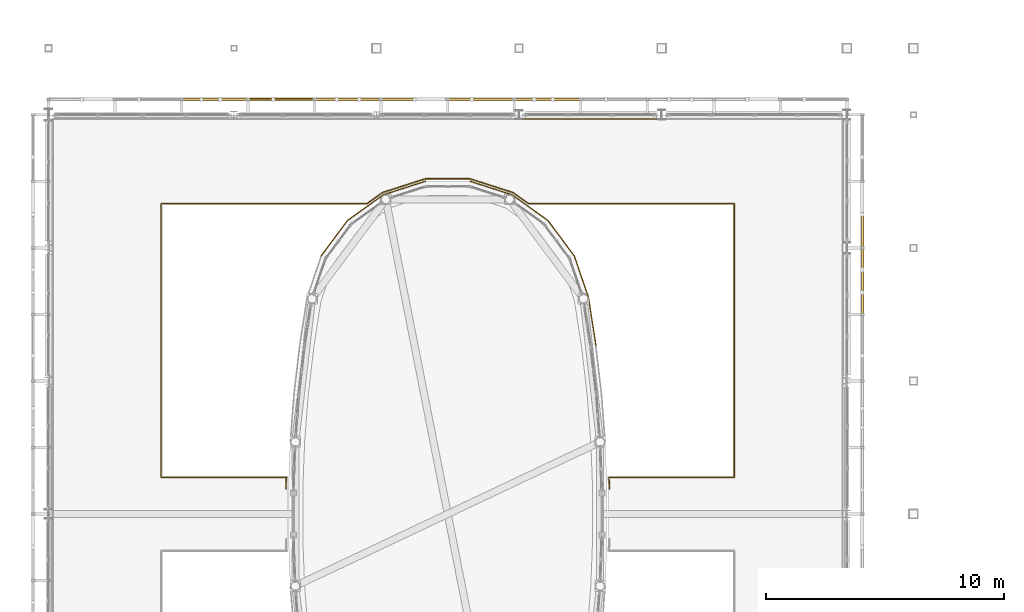
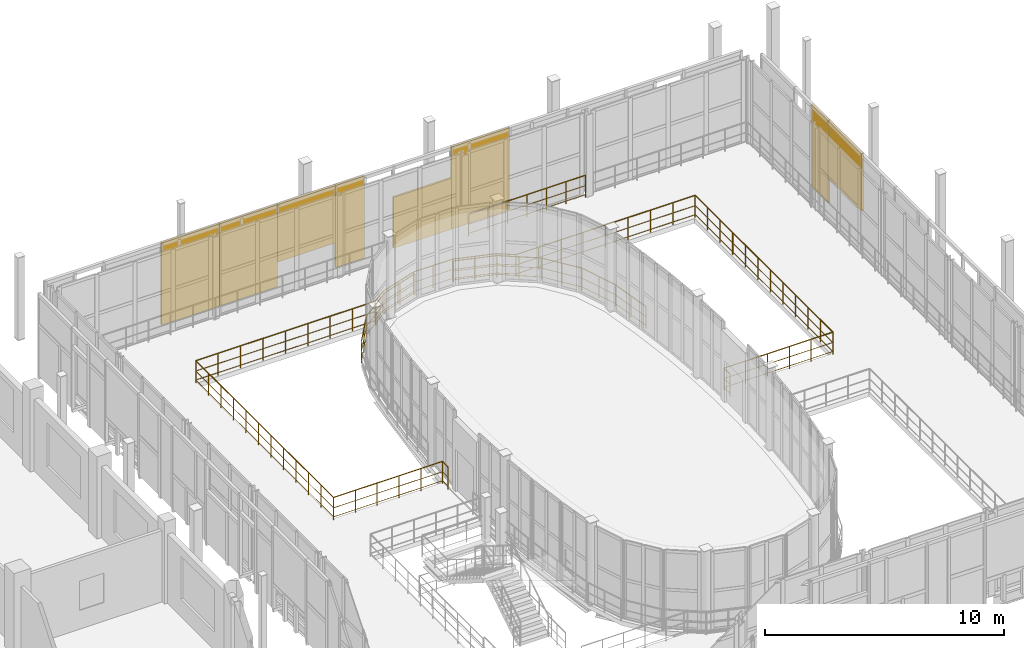
# One storey, part 114 of 121: 10 railings, 8 shading devices.
"""IFC4 building model written with IfcOpenShell, lengths in metres."""

import ifcopenshell
import ifcopenshell.guid

model = None  # the IFC model being written
_history = None  # IfcOwnerHistory: only IFC2X3 demands one
_inside = {}  # id of a spatial element -> (the spatial element, [elements in it])
_under = {}  # id of a project, library or spatial element -> (it, [spatial elements below it])
_declared = {}  # id of a project -> (the project, [libraries it declares])
_typed = {}  # id of a type object -> (the type object, [elements of that type])
_made_of = {}  # id of a material, layer set ... -> (it, [elements and type objects made of it])


def new_model(schema):
    """Start an empty IFC model of exactly this schema.

    Asked for "IFC4X3", IfcOpenShell would pick the latest addendum, in which some entities
    have other attributes; the version numbers below select the first issue.
    IFC2X3 requires an IfcOwnerHistory on every rooted entity: one is made here for all.
    """
    global model, _history
    if schema == "IFC4X3":
        model = ifcopenshell.file(schema_version=(4, 3, 0, 0))
    else:
        model = ifcopenshell.file(schema=schema)
    _inside.clear()
    _under.clear()
    _declared.clear()
    _typed.clear()
    _made_of.clear()
    _history = None
    if model.schema == "IFC2X3":
        org = make("IfcOrganization", Name="unknown")
        user = make(
            "IfcPersonAndOrganization",
            ThePerson=make("IfcPerson", FamilyName="unknown"),
            TheOrganization=org,
        )
        app = make(
            "IfcApplication",
            ApplicationDeveloper=org,
            Version="unknown",
            ApplicationFullName="unknown",
            ApplicationIdentifier="unknown",
        )
        _history = make(
            "IfcOwnerHistory",
            OwningUser=user,
            OwningApplication=app,
            ChangeAction="ADDED",
            CreationDate=0,
        )
    return model


def make(cls, **values):
    """One entity of the class cls with the attributes given. An attribute that is None is left unset."""
    return model.create_entity(
        cls, **{name: value for name, value in values.items() if value is not None}
    )


def rooted(cls, **values):
    """An entity with a GlobalId (a new one), such as an element, a storey or a relation."""
    return make(cls, GlobalId=ifcopenshell.guid.new(), OwnerHistory=_history, **values)


def si_unit(unit_type, name, prefix=None):
    """IfcSIUnit, for example si_unit("LENGTHUNIT", "METRE", prefix="MILLI")."""
    return make("IfcSIUnit", UnitType=unit_type, Prefix=prefix, Name=name)


def assignment(units):
    """IfcUnitAssignment: the units of a project."""
    return None if units is None else make("IfcUnitAssignment", Units=units)


def point(xyz):
    """IfcCartesianPoint."""
    return None if xyz is None else make("IfcCartesianPoint", Coordinates=xyz)


def direction(xyz):
    """IfcDirection."""
    return None if xyz is None else make("IfcDirection", DirectionRatios=xyz)


def frame(location, z_axis=None, x_axis=None):
    """IfcAxis2Placement3D, a coordinate frame: its origin and axes. An axis left out is left unset."""
    return make(
        "IfcAxis2Placement3D",
        Location=point(location),
        Axis=direction(z_axis),
        RefDirection=direction(x_axis),
    )


def frame_2d(location, x_axis=None):
    """IfcAxis2Placement2D, a coordinate frame in the plane: its origin and x axis."""
    return make(
        "IfcAxis2Placement2D", Location=point(location), RefDirection=direction(x_axis)
    )


def origin():
    """The frame at (0, 0, 0) with its axes left unset."""
    return frame((0.0, 0.0, 0.0))


def origin_2d():
    """The frame at (0, 0) in the plane with its x axis left unset."""
    return frame_2d((0.0, 0.0))


def place(relative_to, where):
    """IfcLocalPlacement: puts the frame where relative to a parent placement (None: the world)."""
    return make(
        "IfcLocalPlacement", PlacementRelTo=relative_to, RelativePlacement=where
    )


def context(
    kind, dimensions, precision=None, world=None, true_north=None, identifier=None
):
    """IfcGeometricRepresentationContext, for example the 3D "Model" context."""
    return make(
        "IfcGeometricRepresentationContext",
        ContextIdentifier=identifier,
        ContextType=kind,
        CoordinateSpaceDimension=dimensions,
        Precision=precision,
        WorldCoordinateSystem=world,
        TrueNorth=true_north,
    )


def subcontext(parent, identifier, kind, view, scale=None):
    """IfcGeometricRepresentationSubContext, for example "Body" below "Model"."""
    return make(
        "IfcGeometricRepresentationSubContext",
        ContextIdentifier=identifier,
        ContextType=kind,
        ParentContext=parent,
        TargetScale=scale,
        TargetView=view,
    )


def project(units=None, contexts=None):
    """IfcProject with its units and contexts."""
    return rooted(
        "IfcProject",
        Name="project",
        RepresentationContexts=contexts,
        UnitsInContext=assignment(units),
    )


def spatial(cls, under=None, at=None, **own):
    """A site, building, storey or space (cls), placed at a placement, below another one or the project."""
    s = rooted(cls, ObjectPlacement=at, **own)
    if under is not None:
        _under.setdefault(under.id(), (under, []))[1].append(s)
    return s


def profile(cls, at=None, kind="AREA", **sizes):
    """A parametric profile (cls). Its sizes go by their IFC names, for example OverallWidth=200.0."""
    return make(cls, ProfileType=kind, Position=at, **sizes)


def rectangle(**sizes):
    """IfcRectangleProfileDef."""
    return profile("IfcRectangleProfileDef", **sizes)


def circle(**sizes):
    """IfcCircleProfileDef."""
    return profile("IfcCircleProfileDef", **sizes)


def extrude(swept, where, along, depth):
    """IfcExtrudedAreaSolid: the profile swept, set in the frame where, extruded along a direction by depth."""
    return make(
        "IfcExtrudedAreaSolid",
        SweptArea=swept,
        Position=where,
        ExtrudedDirection=direction(along),
        Depth=depth,
    )


def shape(context_of_items, identifier, shape_type, items):
    """IfcShapeRepresentation: the items that make up one representation, for example the "Body"."""
    return make(
        "IfcShapeRepresentation",
        ContextOfItems=context_of_items,
        RepresentationIdentifier=identifier,
        RepresentationType=shape_type,
        Items=items,
    )


def material(Name=None, Category=None):
    """IfcMaterial."""
    return make("IfcMaterial", Name=Name, Category=Category)


def made_of(thing, what):
    """Note that an element or type object is made of a material, layer set ...; save() writes the relation."""
    if what is not None:
        _made_of.setdefault(what.id(), (what, []))[1].append(thing)
    return thing


def type_object(cls, material=None, **own):
    """A type object (cls), such as IfcWallType, which elements share."""
    return made_of(rooted(cls, **own), material)


def element(
    cls,
    number,
    at=None,
    inside=None,
    cuts=None,
    type_object=None,
    material=None,
    context=None,
    identifier="Body",
    shape_type=None,
    held_by="IfcProductDefinitionShape",
    body=None,
    shapes=None,
    **own,
):
    """One element of the class cls, such as IfcWall. Its Tag is "e" and its number.

    at: its placement. inside: the storey or other place that contains it. cuts: it is an
    opening in that element (IfcRelVoidsElement). A single representation is given by context,
    identifier, shape_type and body (its items); several are given by shapes. held_by: the class
    of the entity that holds the representations. save() writes the other relations.
    """
    e = rooted(cls, Tag="e%d" % number, ObjectPlacement=at, **own)
    if body is not None:
        shapes = [shape(context, identifier, shape_type, body)]
    if shapes is not None:
        e.Representation = make(held_by, Representations=shapes)
    if inside is not None:
        _inside.setdefault(inside.id(), (inside, []))[1].append(e)
    if cuts is not None:
        rooted(
            "IfcRelVoidsElement", RelatingBuildingElement=cuts, RelatedOpeningElement=e
        )
    if type_object is not None:
        _typed.setdefault(type_object.id(), (type_object, []))[1].append(e)
    return made_of(e, material)


def aggregate(whole, parts):
    """IfcRelAggregates: a whole, such as a stair, and the parts it consists of."""
    return rooted("IfcRelAggregates", RelatingObject=whole, RelatedObjects=parts)


def save(model, path):
    """Write the relations noted so far, then the file.

    IfcRelAggregates (storeys below a building ...), IfcRelContainedInSpatialStructure (elements
    in a storey), IfcRelDefinesByType, IfcRelAssociatesMaterial and IfcRelDeclares: one each for
    every whole, place, type object, material and project.
    """
    for whole, parts in _under.values():
        aggregate(whole, parts)
    for where, things in _inside.values():
        rooted(
            "IfcRelContainedInSpatialStructure",
            RelatedElements=things,
            RelatingStructure=where,
        )
    for kind, things in _typed.values():
        rooted("IfcRelDefinesByType", RelatedObjects=things, RelatingType=kind)
    for what, things in _made_of.values():
        rooted("IfcRelAssociatesMaterial", RelatedObjects=things, RelatingMaterial=what)
    for by, libraries in _declared.values():
        rooted("IfcRelDeclares", RelatingContext=by, RelatedDefinitions=libraries)
    model.write(path)


model = new_model("IFC4")

# Units and contexts
model_context = context("Model", 3, precision=1e-05, world=origin(), true_north=direction((0.0, 1.0)))
body_context = subcontext(model_context, "Body", "Model", "MODEL_VIEW")
ifc_project = project(units=[si_unit("LENGTHUNIT", "METRE"), si_unit("AREAUNIT", "SQUARE_METRE"), si_unit("VOLUMEUNIT", "CUBIC_METRE"), si_unit("PLANEANGLEUNIT", "RADIAN"), si_unit("MASSUNIT", "GRAM", prefix="KILO")], contexts=[model_context])

# Site, building, storey
site_placement = place(None, origin())
site = spatial("IfcSite", under=ifc_project, at=site_placement, CompositionType="ELEMENT")
building_placement = place(site_placement, origin())
building = spatial("IfcBuilding", under=site, at=building_placement, Name="Vinh Khe Railworks Police Headquarters", CompositionType="ELEMENT")
storey_placement = place(building_placement, frame((0.0, 0.0, 4.800048828125)))
storey = spatial("IfcBuildingStorey", under=building, at=storey_placement, Name="L01", CompositionType="ELEMENT", Elevation=4.800048828125)

# Railings
ifc_material_1 = material(Name="Dark steel and laminated safety glass", Category="steel")
railing_type_1 = type_object("IfcRailingType", Name="RL-ATRIUM-1150", PredefinedType="BALUSTRADE", material=ifc_material_1)
railing_1_placement = place(storey_placement, frame((36.39111328125, 43.050048828125, 0.0)))
element("IfcRailing", 1, at=railing_1_placement, inside=storey, type_object=railing_type_1, Name="Atrium Balustrade GR-V1HOLE-L01-1-03", PredefinedType="BALUSTRADE", context=body_context, shape_type="SweptSolid", body=[
    extrude(circle(Radius=0.02392578125, at=origin_2d()), frame((0.0, 0.0, 1.1259765625), z_axis=(0.038337515315, 0.999264847235, 0.0), x_axis=(-0.999264847235, 0.038337515315, 0.0)), (0.0, 0.0, 1.0), 0.490234375),
    extrude(circle(Radius=0.01416015625, at=origin_2d()), frame((0.0, 0.0, 0.137939453125), z_axis=(0.038337515315, 0.999264847235, 0.0), x_axis=(-0.999264847235, 0.038337515315, 0.0)), (0.0, 0.0, 1.0), 0.490234375),
    extrude(circle(Radius=0.01416015625, at=origin_2d()), frame((0.0, 0.0, 0.597900390625), z_axis=(0.038337515315, 0.999264847235, 0.0), x_axis=(-0.999264847235, 0.038337515315, 0.0)), (0.0, 0.0, 1.0), 0.490234375),
    extrude(circle(Radius=0.02392578125, at=origin_2d()), frame((0.018798828125, 0.489990234375, 1.1259765625), z_axis=(-1.0, 0.0, 0.0), x_axis=(0.0, -1.0, 0.0)), (0.0, 0.0, 1.0), 5.27001953125),
    extrude(circle(Radius=0.01416015625, at=origin_2d()), frame((0.018798828125, 0.489990234375, 0.137939453125), z_axis=(-1.0, 0.0, 0.0), x_axis=(0.0, -1.0, 0.0)), (0.0, 0.0, 1.0), 5.27001953125),
    extrude(circle(Radius=0.01416015625, at=origin_2d()), frame((0.018798828125, 0.489990234375, 0.597900390625), z_axis=(-1.0, 0.0, 0.0), x_axis=(0.0, -1.0, 0.0)), (0.0, 0.0, 1.0), 5.27001953125),
    extrude(circle(Radius=0.02392578125, at=origin_2d()), frame((-5.251220703125, 0.489990234375, 1.1259765625), z_axis=(0.0, 1.0, 0.0), x_axis=(-1.0, 0.0, 0.0)), (0.0, 0.0, 1.0), 11.52001953125),
    extrude(circle(Radius=0.01416015625, at=origin_2d()), frame((-5.251220703125, 0.489990234375, 0.137939453125), z_axis=(0.0, 1.0, 0.0), x_axis=(-1.0, 0.0, 0.0)), (0.0, 0.0, 1.0), 11.52001953125),
    extrude(circle(Radius=0.01416015625, at=origin_2d()), frame((-5.251220703125, 0.489990234375, 0.597900390625), z_axis=(0.0, 1.0, 0.0), x_axis=(-1.0, 0.0, 0.0)), (0.0, 0.0, 1.0), 11.52001953125),
    extrude(circle(Radius=0.02392578125, at=origin_2d()), frame((-5.251220703125, 12.010009765625, 1.1259765625), z_axis=(1.0, 0.0, 0.0), x_axis=(0.0, 1.0, 0.0)), (0.0, 0.0, 1.0), 8.656982421875),
    extrude(circle(Radius=0.01416015625, at=origin_2d()), frame((-5.251220703125, 12.010009765625, 0.137939453125), z_axis=(1.0, 0.0, 0.0), x_axis=(0.0, 1.0, 0.0)), (0.0, 0.0, 1.0), 8.656982421875),
    extrude(circle(Radius=0.01416015625, at=origin_2d()), frame((-5.251220703125, 12.010009765625, 0.597900390625), z_axis=(1.0, 0.0, 0.0), x_axis=(0.0, 1.0, 0.0)), (0.0, 0.0, 1.0), 8.656982421875),
    extrude(circle(Radius=0.02392578125, at=origin_2d()), frame((3.40576171875, 12.010009765625, 1.1259765625), z_axis=(0.813342656641, 0.581784945566, 0.0), x_axis=(-0.581784945566, 0.813342656641, 0.0)), (0.0, 0.0, 1.0), 0.80224609375),
    extrude(circle(Radius=0.01416015625, at=origin_2d()), frame((3.40576171875, 12.010009765625, 0.137939453125), z_axis=(0.813342656641, 0.581784945566, 0.0), x_axis=(-0.581784945566, 0.813342656641, 0.0)), (0.0, 0.0, 1.0), 0.80224609375),
    extrude(circle(Radius=0.01416015625, at=origin_2d()), frame((3.40576171875, 12.010009765625, 0.597900390625), z_axis=(0.813342656641, 0.581784945566, 0.0), x_axis=(-0.581784945566, 0.813342656641, 0.0)), (0.0, 0.0, 1.0), 0.80224609375),
    extrude(circle(Radius=0.02392578125, at=origin_2d()), frame((4.058349609375, 12.476806640625, 1.1259765625), z_axis=(0.952155884795, 0.305612779592, 0.0), x_axis=(-0.305612779592, 0.952155884795, 0.0)), (0.0, 0.0, 1.0), 1.89404296875),
    extrude(circle(Radius=0.01416015625, at=origin_2d()), frame((4.058349609375, 12.476806640625, 0.137939453125), z_axis=(0.952155884795, 0.305612779592, 0.0), x_axis=(-0.305612779592, 0.952155884795, 0.0)), (0.0, 0.0, 1.0), 1.89404296875),
    extrude(circle(Radius=0.01416015625, at=origin_2d()), frame((4.058349609375, 12.476806640625, 0.597900390625), z_axis=(0.952155884795, 0.305612779592, 0.0), x_axis=(-0.305612779592, 0.952155884795, 0.0)), (0.0, 0.0, 1.0), 1.89404296875),
    extrude(circle(Radius=0.02392578125, at=origin_2d()), frame((5.86181640625, 13.0556640625, 1.1259765625), z_axis=(1.0, 0.0, 0.0), x_axis=(0.0, 1.0, 0.0)), (0.0, 0.0, 1.0), 1.894287109375),
    extrude(circle(Radius=0.01416015625, at=origin_2d()), frame((5.86181640625, 13.0556640625, 0.137939453125), z_axis=(1.0, 0.0, 0.0), x_axis=(0.0, 1.0, 0.0)), (0.0, 0.0, 1.0), 1.894287109375),
    extrude(circle(Radius=0.01416015625, at=origin_2d()), frame((5.86181640625, 13.0556640625, 0.597900390625), z_axis=(1.0, 0.0, 0.0), x_axis=(0.0, 1.0, 0.0)), (0.0, 0.0, 1.0), 1.894287109375),
    extrude(circle(Radius=0.02392578125, at=origin_2d()), frame((7.756103515625, 13.0556640625, 1.1259765625), z_axis=(0.952155884795, -0.305612779592, 0.0), x_axis=(0.305612779592, 0.952155884795, 0.0)), (0.0, 0.0, 1.0), 1.89404296875),
    extrude(circle(Radius=0.01416015625, at=origin_2d()), frame((7.756103515625, 13.0556640625, 0.137939453125), z_axis=(0.952155884795, -0.305612779592, 0.0), x_axis=(0.305612779592, 0.952155884795, 0.0)), (0.0, 0.0, 1.0), 1.89404296875),
    extrude(circle(Radius=0.01416015625, at=origin_2d()), frame((7.756103515625, 13.0556640625, 0.597900390625), z_axis=(0.952155884795, -0.305612779592, 0.0), x_axis=(0.305612779592, 0.952155884795, 0.0)), (0.0, 0.0, 1.0), 1.89404296875),
    extrude(circle(Radius=0.02392578125, at=origin_2d()), frame((9.5595703125, 12.476806640625, 1.1259765625), z_axis=(0.813239627332, -0.581928954887, 0.0), x_axis=(0.581928954887, 0.813239627332, 0.0)), (0.0, 0.0, 1.0), 0.80224609375),
    extrude(circle(Radius=0.01416015625, at=origin_2d()), frame((9.5595703125, 12.476806640625, 0.137939453125), z_axis=(0.813239627332, -0.581928954887, 0.0), x_axis=(0.581928954887, 0.813239627332, 0.0)), (0.0, 0.0, 1.0), 0.80224609375),
    extrude(circle(Radius=0.01416015625, at=origin_2d()), frame((9.5595703125, 12.476806640625, 0.597900390625), z_axis=(0.813239627332, -0.581928954887, 0.0), x_axis=(0.581928954887, 0.813239627332, 0.0)), (0.0, 0.0, 1.0), 0.80224609375),
    extrude(circle(Radius=0.02392578125, at=origin_2d()), frame((10.2119140625, 12.010009765625, 1.1259765625), z_axis=(1.0, 0.0, 0.0), x_axis=(0.0, 1.0, 0.0)), (0.0, 0.0, 1.0), 8.656982421875),
    extrude(circle(Radius=0.01416015625, at=origin_2d()), frame((10.2119140625, 12.010009765625, 0.137939453125), z_axis=(1.0, 0.0, 0.0), x_axis=(0.0, 1.0, 0.0)), (0.0, 0.0, 1.0), 8.656982421875),
    extrude(circle(Radius=0.01416015625, at=origin_2d()), frame((10.2119140625, 12.010009765625, 0.597900390625), z_axis=(1.0, 0.0, 0.0), x_axis=(0.0, 1.0, 0.0)), (0.0, 0.0, 1.0), 8.656982421875),
    extrude(circle(Radius=0.02392578125, at=origin_2d()), frame((18.868896484375, 12.010009765625, 1.1259765625), z_axis=(0.0, -1.0, 0.0), x_axis=(1.0, 0.0, 0.0)), (0.0, 0.0, 1.0), 11.52001953125),
    extrude(circle(Radius=0.01416015625, at=origin_2d()), frame((18.868896484375, 12.010009765625, 0.137939453125), z_axis=(0.0, -1.0, 0.0), x_axis=(1.0, 0.0, 0.0)), (0.0, 0.0, 1.0), 11.52001953125),
    extrude(circle(Radius=0.01416015625, at=origin_2d()), frame((18.868896484375, 12.010009765625, 0.597900390625), z_axis=(0.0, -1.0, 0.0), x_axis=(1.0, 0.0, 0.0)), (0.0, 0.0, 1.0), 11.52001953125),
    extrude(circle(Radius=0.02392578125, at=origin_2d()), frame((18.868896484375, 0.489990234375, 1.1259765625), z_axis=(-1.0, 0.0, 0.0), x_axis=(0.0, -1.0, 0.0)), (0.0, 0.0, 1.0), 5.269775390625),
    extrude(circle(Radius=0.01416015625, at=origin_2d()), frame((18.868896484375, 0.489990234375, 0.137939453125), z_axis=(-1.0, 0.0, 0.0), x_axis=(0.0, -1.0, 0.0)), (0.0, 0.0, 1.0), 5.269775390625),
    extrude(circle(Radius=0.01416015625, at=origin_2d()), frame((18.868896484375, 0.489990234375, 0.597900390625), z_axis=(-1.0, 0.0, 0.0), x_axis=(0.0, -1.0, 0.0)), (0.0, 0.0, 1.0), 5.269775390625),
    extrude(circle(Radius=0.02392578125, at=origin_2d()), frame((13.59912109375, 0.489990234375, 1.1259765625), z_axis=(0.038337515315, -0.999264847235, 0.0), x_axis=(0.999264847235, 0.038337515315, 0.0)), (0.0, 0.0, 1.0), 0.490234375),
    extrude(circle(Radius=0.01416015625, at=origin_2d()), frame((13.59912109375, 0.489990234375, 0.137939453125), z_axis=(0.038337515315, -0.999264847235, 0.0), x_axis=(0.999264847235, 0.038337515315, 0.0)), (0.0, 0.0, 1.0), 0.490234375),
    extrude(circle(Radius=0.01416015625, at=origin_2d()), frame((13.59912109375, 0.489990234375, 0.597900390625), z_axis=(0.038337515315, -0.999264847235, 0.0), x_axis=(0.999264847235, 0.038337515315, 0.0)), (0.0, 0.0, 1.0), 0.490234375),
    extrude(circle(Radius=0.02099609375, at=origin_2d()), origin(), (0.0, 0.0, 1.0), 1.101806640625),
    extrude(circle(Radius=0.02099609375, at=origin_2d()), frame((0.018798828125, 0.489990234375, 0.0)), (0.0, 0.0, 1.0), 1.101806640625),
    extrude(circle(Radius=0.02099609375, at=origin_2d()), frame((-1.03515625, 0.489990234375, 0.0)), (0.0, 0.0, 1.0), 1.101806640625),
    extrude(circle(Radius=0.02099609375, at=origin_2d()), frame((-2.089111328125, 0.489990234375, 0.0)), (0.0, 0.0, 1.0), 1.101806640625),
    extrude(circle(Radius=0.02099609375, at=origin_2d()), frame((-3.143310546875, 0.489990234375, 0.0)), (0.0, 0.0, 1.0), 1.101806640625),
    extrude(circle(Radius=0.02099609375, at=origin_2d()), frame((-4.197265625, 0.489990234375, 0.0)), (0.0, 0.0, 1.0), 1.101806640625),
    extrude(circle(Radius=0.02099609375, at=origin_2d()), frame((-5.251220703125, 0.489990234375, 0.0)), (0.0, 0.0, 1.0), 1.101806640625),
    extrude(circle(Radius=0.02099609375, at=origin_2d()), frame((-5.251220703125, 1.537353515625, 0.0)), (0.0, 0.0, 1.0), 1.101806640625),
    extrude(circle(Radius=0.02099609375, at=origin_2d()), frame((-5.251220703125, 2.58447265625, 0.0)), (0.0, 0.0, 1.0), 1.101806640625),
    extrude(circle(Radius=0.02099609375, at=origin_2d()), frame((-5.251220703125, 3.6318359375, 0.0)), (0.0, 0.0, 1.0), 1.101806640625),
    extrude(circle(Radius=0.02099609375, at=origin_2d()), frame((-5.251220703125, 4.67919921875, 0.0)), (0.0, 0.0, 1.0), 1.101806640625),
    extrude(circle(Radius=0.02099609375, at=origin_2d()), frame((-5.251220703125, 5.726318359375, 0.0)), (0.0, 0.0, 1.0), 1.101806640625),
    extrude(circle(Radius=0.02099609375, at=origin_2d()), frame((-5.251220703125, 6.773681640625, 0.0)), (0.0, 0.0, 1.0), 1.101806640625),
    extrude(circle(Radius=0.02099609375, at=origin_2d()), frame((-5.251220703125, 7.82080078125, 0.0)), (0.0, 0.0, 1.0), 1.101806640625),
    extrude(circle(Radius=0.02099609375, at=origin_2d()), frame((-5.251220703125, 8.8681640625, 0.0)), (0.0, 0.0, 1.0), 1.101806640625),
    extrude(circle(Radius=0.02099609375, at=origin_2d()), frame((-5.251220703125, 9.91552734375, 0.0)), (0.0, 0.0, 1.0), 1.101806640625),
    extrude(circle(Radius=0.02099609375, at=origin_2d()), frame((-5.251220703125, 10.962646484375, 0.0)), (0.0, 0.0, 1.0), 1.101806640625),
    extrude(circle(Radius=0.02099609375, at=origin_2d()), frame((-5.251220703125, 12.010009765625, 0.0)), (0.0, 0.0, 1.0), 1.101806640625),
    extrude(circle(Radius=0.02099609375, at=origin_2d()), frame((-4.169189453125, 12.010009765625, 0.0)), (0.0, 0.0, 1.0), 1.101806640625),
    extrude(circle(Radius=0.02099609375, at=origin_2d()), frame((-3.0869140625, 12.010009765625, 0.0)), (0.0, 0.0, 1.0), 1.101806640625),
    extrude(circle(Radius=0.02099609375, at=origin_2d()), frame((-2.0048828125, 12.010009765625, 0.0)), (0.0, 0.0, 1.0), 1.101806640625),
    extrude(circle(Radius=0.02099609375, at=origin_2d()), frame((-0.9228515625, 12.010009765625, 0.0)), (0.0, 0.0, 1.0), 1.101806640625),
    extrude(circle(Radius=0.02099609375, at=origin_2d()), frame((0.159423828125, 12.010009765625, 0.0)), (0.0, 0.0, 1.0), 1.101806640625),
    extrude(circle(Radius=0.02099609375, at=origin_2d()), frame((1.241455078125, 12.010009765625, 0.0)), (0.0, 0.0, 1.0), 1.101806640625),
    extrude(circle(Radius=0.02099609375, at=origin_2d()), frame((2.32373046875, 12.010009765625, 0.0)), (0.0, 0.0, 1.0), 1.101806640625),
    extrude(circle(Radius=0.02099609375, at=origin_2d()), frame((3.40576171875, 12.010009765625, 0.0)), (0.0, 0.0, 1.0), 1.101806640625),
    extrude(circle(Radius=0.02099609375, at=origin_2d()), frame((4.058349609375, 12.476806640625, 0.0)), (0.0, 0.0, 1.0), 1.101806640625),
    extrude(circle(Radius=0.02099609375, at=origin_2d()), frame((4.9599609375, 12.76611328125, 0.0)), (0.0, 0.0, 1.0), 1.101806640625),
    extrude(circle(Radius=0.02099609375, at=origin_2d()), frame((5.86181640625, 13.0556640625, 0.0)), (0.0, 0.0, 1.0), 1.101806640625),
    extrude(circle(Radius=0.02099609375, at=origin_2d()), frame((6.80908203125, 13.0556640625, 0.0)), (0.0, 0.0, 1.0), 1.101806640625),
    extrude(circle(Radius=0.02099609375, at=origin_2d()), frame((7.756103515625, 13.0556640625, 0.0)), (0.0, 0.0, 1.0), 1.101806640625),
    extrude(circle(Radius=0.02099609375, at=origin_2d()), frame((8.65771484375, 12.76611328125, 0.0)), (0.0, 0.0, 1.0), 1.101806640625),
    extrude(circle(Radius=0.02099609375, at=origin_2d()), frame((9.5595703125, 12.476806640625, 0.0)), (0.0, 0.0, 1.0), 1.101806640625),
    extrude(circle(Radius=0.02099609375, at=origin_2d()), frame((10.2119140625, 12.010009765625, 0.0)), (0.0, 0.0, 1.0), 1.101806640625),
    extrude(circle(Radius=0.02099609375, at=origin_2d()), frame((11.2939453125, 12.010009765625, 0.0)), (0.0, 0.0, 1.0), 1.101806640625),
    extrude(circle(Radius=0.02099609375, at=origin_2d()), frame((12.376220703125, 12.010009765625, 0.0)), (0.0, 0.0, 1.0), 1.101806640625),
    extrude(circle(Radius=0.02099609375, at=origin_2d()), frame((13.458251953125, 12.010009765625, 0.0)), (0.0, 0.0, 1.0), 1.101806640625),
    extrude(circle(Radius=0.02099609375, at=origin_2d()), frame((14.54052734375, 12.010009765625, 0.0)), (0.0, 0.0, 1.0), 1.101806640625),
    extrude(circle(Radius=0.02099609375, at=origin_2d()), frame((15.62255859375, 12.010009765625, 0.0)), (0.0, 0.0, 1.0), 1.101806640625),
    extrude(circle(Radius=0.02099609375, at=origin_2d()), frame((16.70458984375, 12.010009765625, 0.0)), (0.0, 0.0, 1.0), 1.101806640625),
    extrude(circle(Radius=0.02099609375, at=origin_2d()), frame((17.786865234375, 12.010009765625, 0.0)), (0.0, 0.0, 1.0), 1.101806640625),
    extrude(circle(Radius=0.02099609375, at=origin_2d()), frame((18.868896484375, 12.010009765625, 0.0)), (0.0, 0.0, 1.0), 1.101806640625),
    extrude(circle(Radius=0.02099609375, at=origin_2d()), frame((18.868896484375, 10.962646484375, 0.0)), (0.0, 0.0, 1.0), 1.101806640625),
    extrude(circle(Radius=0.02099609375, at=origin_2d()), frame((18.868896484375, 9.91552734375, 0.0)), (0.0, 0.0, 1.0), 1.101806640625),
    extrude(circle(Radius=0.02099609375, at=origin_2d()), frame((18.868896484375, 8.8681640625, 0.0)), (0.0, 0.0, 1.0), 1.101806640625),
    extrude(circle(Radius=0.02099609375, at=origin_2d()), frame((18.868896484375, 7.82080078125, 0.0)), (0.0, 0.0, 1.0), 1.101806640625),
    extrude(circle(Radius=0.02099609375, at=origin_2d()), frame((18.868896484375, 6.773681640625, 0.0)), (0.0, 0.0, 1.0), 1.101806640625),
    extrude(circle(Radius=0.02099609375, at=origin_2d()), frame((18.868896484375, 5.726318359375, 0.0)), (0.0, 0.0, 1.0), 1.101806640625),
    extrude(circle(Radius=0.02099609375, at=origin_2d()), frame((18.868896484375, 4.67919921875, 0.0)), (0.0, 0.0, 1.0), 1.101806640625),
    extrude(circle(Radius=0.02099609375, at=origin_2d()), frame((18.868896484375, 3.6318359375, 0.0)), (0.0, 0.0, 1.0), 1.101806640625),
    extrude(circle(Radius=0.02099609375, at=origin_2d()), frame((18.868896484375, 2.58447265625, 0.0)), (0.0, 0.0, 1.0), 1.101806640625),
    extrude(circle(Radius=0.02099609375, at=origin_2d()), frame((18.868896484375, 1.537353515625, 0.0)), (0.0, 0.0, 1.0), 1.101806640625),
    extrude(circle(Radius=0.02099609375, at=origin_2d()), frame((18.868896484375, 0.489990234375, 0.0)), (0.0, 0.0, 1.0), 1.101806640625),
    extrude(circle(Radius=0.02099609375, at=origin_2d()), frame((17.81494140625, 0.489990234375, 0.0)), (0.0, 0.0, 1.0), 1.101806640625),
    extrude(circle(Radius=0.02099609375, at=origin_2d()), frame((16.760986328125, 0.489990234375, 0.0)), (0.0, 0.0, 1.0), 1.101806640625),
    extrude(circle(Radius=0.02099609375, at=origin_2d()), frame((15.70703125, 0.489990234375, 0.0)), (0.0, 0.0, 1.0), 1.101806640625),
    extrude(circle(Radius=0.02099609375, at=origin_2d()), frame((14.653076171875, 0.489990234375, 0.0)), (0.0, 0.0, 1.0), 1.101806640625),
    extrude(circle(Radius=0.02099609375, at=origin_2d()), frame((13.59912109375, 0.489990234375, 0.0)), (0.0, 0.0, 1.0), 1.101806640625),
    extrude(circle(Radius=0.02099609375, at=origin_2d()), frame((13.617919921875, 0.0, 0.0)), (0.0, 0.0, 1.0), 1.101806640625),
])
railing_2_placement = place(storey_placement, frame((52.02490234375, 58.6201171875, 0.0)))
element("IfcRailing", 2, at=railing_2_placement, inside=storey, type_object=railing_type_1, Name="Atrium Balustrade GR-V1PERIM-L01-05", PredefinedType="BALUSTRADE", context=body_context, shape_type="SweptSolid", body=[
    extrude(circle(Radius=0.02392578125, at=origin_2d()), frame((0.0, 0.0, 1.1259765625), z_axis=(-1.0, 0.0, 0.0), x_axis=(0.0, -1.0, 0.0)), (0.0, 0.0, 1.0), 5.64990234375),
    extrude(circle(Radius=0.01416015625, at=origin_2d()), frame((0.0, 0.0, 0.137939453125), z_axis=(-1.0, 0.0, 0.0), x_axis=(0.0, -1.0, 0.0)), (0.0, 0.0, 1.0), 5.64990234375),
    extrude(circle(Radius=0.01416015625, at=origin_2d()), frame((0.0, 0.0, 0.597900390625), z_axis=(-1.0, 0.0, 0.0), x_axis=(0.0, -1.0, 0.0)), (0.0, 0.0, 1.0), 5.64990234375),
    extrude(circle(Radius=0.02099609375, at=origin_2d()), origin(), (0.0, 0.0, 1.0), 1.101806640625),
    extrude(circle(Radius=0.02099609375, at=origin_2d()), frame((-0.941650390625, 0.0, 0.0)), (0.0, 0.0, 1.0), 1.101806640625),
    extrude(circle(Radius=0.02099609375, at=origin_2d()), frame((-1.88330078125, 0.0, 0.0)), (0.0, 0.0, 1.0), 1.101806640625),
    extrude(circle(Radius=0.02099609375, at=origin_2d()), frame((-2.824951171875, 0.0, 0.0)), (0.0, 0.0, 1.0), 1.101806640625),
    extrude(circle(Radius=0.02099609375, at=origin_2d()), frame((-3.7666015625, 0.0, 0.0)), (0.0, 0.0, 1.0), 1.101806640625),
    extrude(circle(Radius=0.02099609375, at=origin_2d()), frame((-4.708251953125, 0.0, 0.0)), (0.0, 0.0, 1.0), 1.101806640625),
    extrude(circle(Radius=0.02099609375, at=origin_2d()), frame((-5.64990234375, 0.0, 0.0)), (0.0, 0.0, 1.0), 1.101806640625),
])
ifc_material_2 = material(Name="Painted tubular steel", Category="steel")
railing_type_2 = type_object("IfcRailingType", Name="RL-GUARD-1100", PredefinedType="GUARDRAIL", material=ifc_material_2)
railing_3_placement = place(storey_placement, frame((49.44140625, 49.0869140625, 0.0)))
element("IfcRailing", 3, at=railing_3_placement, inside=storey, type_object=railing_type_2, Name="Slab Corner Notch Guard L01-24", PredefinedType="GUARDRAIL", context=body_context, shape_type="SweptSolid", body=[
    extrude(circle(Radius=0.02392578125, at=origin_2d()), frame((0.0, 0.0, 1.09619140625), z_axis=(-0.153455860094, 0.988155503452, 0.0), x_axis=(-0.988155503452, -0.153455860094, 0.0)), (0.0, 0.0, 1.0), 2.0458984375),
    extrude(circle(Radius=0.01416015625, at=origin_2d()), frame((0.0, 0.0, 0.134521484375), z_axis=(-0.153455860094, 0.988155503452, 0.0), x_axis=(-0.988155503452, -0.153455860094, 0.0)), (0.0, 0.0, 1.0), 2.0458984375),
    extrude(circle(Radius=0.01416015625, at=origin_2d()), frame((0.0, 0.0, 0.58251953125), z_axis=(-0.153455860094, 0.988155503452, 0.0), x_axis=(-0.988155503452, -0.153455860094, 0.0)), (0.0, 0.0, 1.0), 2.0458984375),
    extrude(circle(Radius=0.02099609375, at=origin_2d()), origin(), (0.0, 0.0, 1.0), 1.072021484375),
    extrude(circle(Radius=0.02099609375, at=origin_2d()), frame((-0.156982421875, 1.0107421875, 0.0)), (0.0, 0.0, 1.0), 1.072021484375),
    extrude(circle(Radius=0.02099609375, at=origin_2d()), frame((-0.31396484375, 2.021728515625, 0.0)), (0.0, 0.0, 1.0), 1.072021484375),
])
railing_4_placement = place(storey_placement, frame((49.12744140625, 51.108642578125, 0.0)))
element("IfcRailing", 4, at=railing_4_placement, inside=storey, type_object=railing_type_2, Name="Slab Corner Notch Guard L01-25", PredefinedType="GUARDRAIL", context=body_context, shape_type="SweptSolid", body=[
    extrude(circle(Radius=0.02392578125, at=origin_2d()), frame((0.0, 0.0, 1.09619140625), z_axis=(-0.322681999165, 0.946507436534, 0.0), x_axis=(-0.946507436534, -0.322681999165, 0.0)), (0.0, 0.0, 1.0), 1.84765625),
    extrude(circle(Radius=0.01416015625, at=origin_2d()), frame((0.0, 0.0, 0.134521484375), z_axis=(-0.322681999165, 0.946507436534, 0.0), x_axis=(-0.946507436534, -0.322681999165, 0.0)), (0.0, 0.0, 1.0), 1.84765625),
    extrude(circle(Radius=0.01416015625, at=origin_2d()), frame((0.0, 0.0, 0.58251953125), z_axis=(-0.322681999165, 0.946507436534, 0.0), x_axis=(-0.946507436534, -0.322681999165, 0.0)), (0.0, 0.0, 1.0), 1.84765625),
    extrude(circle(Radius=0.02099609375, at=origin_2d()), origin(), (0.0, 0.0, 1.0), 1.072021484375),
    extrude(circle(Radius=0.02099609375, at=origin_2d()), frame((-0.298095703125, 0.87451171875, 0.0)), (0.0, 0.0, 1.0), 1.072021484375),
    extrude(circle(Radius=0.02099609375, at=origin_2d()), frame((-0.59619140625, 1.748779296875, 0.0)), (0.0, 0.0, 1.0), 1.072021484375),
])
railing_5_placement = place(storey_placement, frame((48.53125, 52.857421875, 0.0)))
element("IfcRailing", 5, at=railing_5_placement, inside=storey, type_object=railing_type_2, Name="Slab Corner Notch Guard L01-26", PredefinedType="GUARDRAIL", context=body_context, shape_type="SweptSolid", body=[
    extrude(circle(Radius=0.02392578125, at=origin_2d()), frame((0.0, 0.0, 1.09619140625), z_axis=(-0.596555612397, 0.802571742162, 0.0), x_axis=(-0.802571742162, -0.596555612397, 0.0)), (0.0, 0.0, 1.0), 1.86279296875),
    extrude(circle(Radius=0.01416015625, at=origin_2d()), frame((0.0, 0.0, 0.134521484375), z_axis=(-0.596555612397, 0.802571742162, 0.0), x_axis=(-0.802571742162, -0.596555612397, 0.0)), (0.0, 0.0, 1.0), 1.86279296875),
    extrude(circle(Radius=0.01416015625, at=origin_2d()), frame((0.0, 0.0, 0.58251953125), z_axis=(-0.596555612397, 0.802571742162, 0.0), x_axis=(-0.802571742162, -0.596555612397, 0.0)), (0.0, 0.0, 1.0), 1.86279296875),
    extrude(circle(Radius=0.02099609375, at=origin_2d()), origin(), (0.0, 0.0, 1.0), 1.072021484375),
    extrude(circle(Radius=0.02099609375, at=origin_2d()), frame((-0.5556640625, 0.74755859375, 0.0)), (0.0, 0.0, 1.0), 1.072021484375),
    extrude(circle(Radius=0.02099609375, at=origin_2d()), frame((-1.111328125, 1.4951171875, 0.0)), (0.0, 0.0, 1.0), 1.072021484375),
])
railing_6_placement = place(storey_placement, frame((47.419921875, 54.3525390625, 0.0)))
element("IfcRailing", 6, at=railing_6_placement, inside=storey, type_object=railing_type_2, Name="Slab Corner Notch Guard L01-27", PredefinedType="GUARDRAIL", context=body_context, shape_type="SweptSolid", body=[
    extrude(circle(Radius=0.02392578125, at=origin_2d()), frame((0.0, 0.0, 1.09619140625), z_axis=(-0.813308151852, 0.581833180672, 0.0), x_axis=(-0.581833180672, -0.813308151852, 0.0)), (0.0, 0.0, 1.0), 1.862548828125),
    extrude(circle(Radius=0.01416015625, at=origin_2d()), frame((0.0, 0.0, 0.134521484375), z_axis=(-0.813308151852, 0.581833180672, 0.0), x_axis=(-0.581833180672, -0.813308151852, 0.0)), (0.0, 0.0, 1.0), 1.862548828125),
    extrude(circle(Radius=0.01416015625, at=origin_2d()), frame((0.0, 0.0, 0.58251953125), z_axis=(-0.813308151852, 0.581833180672, 0.0), x_axis=(-0.581833180672, -0.813308151852, 0.0)), (0.0, 0.0, 1.0), 1.862548828125),
    extrude(circle(Radius=0.02099609375, at=origin_2d()), origin(), (0.0, 0.0, 1.0), 1.072021484375),
    extrude(circle(Radius=0.02099609375, at=origin_2d()), frame((-0.75732421875, 0.5419921875, 0.0)), (0.0, 0.0, 1.0), 1.072021484375),
    extrude(circle(Radius=0.02099609375, at=origin_2d()), frame((-1.514892578125, 1.083740234375, 0.0)), (0.0, 0.0, 1.0), 1.072021484375),
])
railing_7_placement = place(storey_placement, frame((45.905029296875, 55.436279296875, 0.0)))
element("IfcRailing", 7, at=railing_7_placement, inside=storey, type_object=railing_type_2, Name="Slab Corner Notch Guard L01-28", PredefinedType="GUARDRAIL", context=body_context, shape_type="SweptSolid", body=[
    extrude(circle(Radius=0.02392578125, at=origin_2d()), frame((0.0, 0.0, 1.09619140625), z_axis=(-0.952149849354, 0.305631582752, 0.0), x_axis=(-0.305631582752, -0.952149849354, 0.0)), (0.0, 0.0, 1.0), 1.86279296875),
    extrude(circle(Radius=0.01416015625, at=origin_2d()), frame((0.0, 0.0, 0.134521484375), z_axis=(-0.952149849354, 0.305631582752, 0.0), x_axis=(-0.305631582752, -0.952149849354, 0.0)), (0.0, 0.0, 1.0), 1.86279296875),
    extrude(circle(Radius=0.01416015625, at=origin_2d()), frame((0.0, 0.0, 0.58251953125), z_axis=(-0.952149849354, 0.305631582752, 0.0), x_axis=(-0.305631582752, -0.952149849354, 0.0)), (0.0, 0.0, 1.0), 1.86279296875),
    extrude(circle(Radius=0.02099609375, at=origin_2d()), origin(), (0.0, 0.0, 1.0), 1.072021484375),
    extrude(circle(Radius=0.02099609375, at=origin_2d()), frame((-0.88671875, 0.28466796875, 0.0)), (0.0, 0.0, 1.0), 1.072021484375),
    extrude(circle(Radius=0.02099609375, at=origin_2d()), frame((-1.773681640625, 0.5693359375, 0.0)), (0.0, 0.0, 1.0), 1.072021484375),
])
railing_8_placement = place(storey_placement, frame((42.2685546875, 56.005615234375, 0.0)))
element("IfcRailing", 8, at=railing_8_placement, inside=storey, type_object=railing_type_2, Name="Slab Corner Notch Guard L01-29", PredefinedType="GUARDRAIL", context=body_context, shape_type="SweptSolid", body=[
    extrude(circle(Radius=0.02392578125, at=origin_2d()), frame((0.0, 0.0, 1.09619140625), z_axis=(-0.952149849354, -0.305631582752, 0.0), x_axis=(0.305631582752, -0.952149849354, 0.0)), (0.0, 0.0, 1.0), 1.86279296875),
    extrude(circle(Radius=0.01416015625, at=origin_2d()), frame((0.0, 0.0, 0.134521484375), z_axis=(-0.952149849354, -0.305631582752, 0.0), x_axis=(0.305631582752, -0.952149849354, 0.0)), (0.0, 0.0, 1.0), 1.86279296875),
    extrude(circle(Radius=0.01416015625, at=origin_2d()), frame((0.0, 0.0, 0.58251953125), z_axis=(-0.952149849354, -0.305631582752, 0.0), x_axis=(0.305631582752, -0.952149849354, 0.0)), (0.0, 0.0, 1.0), 1.86279296875),
    extrude(circle(Radius=0.02099609375, at=origin_2d()), origin(), (0.0, 0.0, 1.0), 1.072021484375),
    extrude(circle(Radius=0.02099609375, at=origin_2d()), frame((-0.88671875, -0.28466796875, 0.0)), (0.0, 0.0, 1.0), 1.072021484375),
    extrude(circle(Radius=0.02099609375, at=origin_2d()), frame((-1.773681640625, -0.5693359375, 0.0)), (0.0, 0.0, 1.0), 1.072021484375),
])
railing_9_placement = place(storey_placement, frame((40.494873046875, 55.436279296875, 0.0)))
element("IfcRailing", 9, at=railing_9_placement, inside=storey, type_object=railing_type_2, Name="Slab Corner Notch Guard L01-30", PredefinedType="GUARDRAIL", context=body_context, shape_type="SweptSolid", body=[
    extrude(circle(Radius=0.02392578125, at=origin_2d()), frame((0.0, 0.0, 1.09619140625), z_axis=(-0.813308151852, -0.581833180672, 0.0), x_axis=(0.581833180672, -0.813308151852, 0.0)), (0.0, 0.0, 1.0), 1.862548828125),
    extrude(circle(Radius=0.01416015625, at=origin_2d()), frame((0.0, 0.0, 0.134521484375), z_axis=(-0.813308151852, -0.581833180672, 0.0), x_axis=(0.581833180672, -0.813308151852, 0.0)), (0.0, 0.0, 1.0), 1.862548828125),
    extrude(circle(Radius=0.01416015625, at=origin_2d()), frame((0.0, 0.0, 0.58251953125), z_axis=(-0.813308151852, -0.581833180672, 0.0), x_axis=(0.581833180672, -0.813308151852, 0.0)), (0.0, 0.0, 1.0), 1.862548828125),
    extrude(circle(Radius=0.02099609375, at=origin_2d()), origin(), (0.0, 0.0, 1.0), 1.072021484375),
    extrude(circle(Radius=0.02099609375, at=origin_2d()), frame((-0.75732421875, -0.5419921875, 0.0)), (0.0, 0.0, 1.0), 1.072021484375),
    extrude(circle(Radius=0.02099609375, at=origin_2d()), frame((-1.514892578125, -1.083740234375, 0.0)), (0.0, 0.0, 1.0), 1.072021484375),
])
railing_10_placement = place(storey_placement, frame((38.97998046875, 54.3525390625, 0.0)))
element("IfcRailing", 10, at=railing_10_placement, inside=storey, type_object=railing_type_2, Name="Slab Corner Notch Guard L01-31", PredefinedType="GUARDRAIL", context=body_context, shape_type="SweptSolid", body=[
    extrude(circle(Radius=0.02392578125, at=origin_2d()), frame((0.0, 0.0, 1.09619140625), z_axis=(-0.596471188122, -0.802634488257, 0.0), x_axis=(0.802634488257, -0.596471188122, 0.0)), (0.0, 0.0, 1.0), 1.86279296875),
    extrude(circle(Radius=0.01416015625, at=origin_2d()), frame((0.0, 0.0, 0.134521484375), z_axis=(-0.596471188122, -0.802634488257, 0.0), x_axis=(0.802634488257, -0.596471188122, 0.0)), (0.0, 0.0, 1.0), 1.86279296875),
    extrude(circle(Radius=0.01416015625, at=origin_2d()), frame((0.0, 0.0, 0.58251953125), z_axis=(-0.596471188122, -0.802634488257, 0.0), x_axis=(0.802634488257, -0.596471188122, 0.0)), (0.0, 0.0, 1.0), 1.86279296875),
    extrude(circle(Radius=0.02099609375, at=origin_2d()), origin(), (0.0, 0.0, 1.0), 1.072021484375),
    extrude(circle(Radius=0.02099609375, at=origin_2d()), frame((-0.5556640625, -0.74755859375, 0.0)), (0.0, 0.0, 1.0), 1.072021484375),
    extrude(circle(Radius=0.02099609375, at=origin_2d()), frame((-1.111083984375, -1.4951171875, 0.0)), (0.0, 0.0, 1.0), 1.072021484375),
])

# Shading devices
ifc_material_3 = material(Name="Salvaged ironwood timber", Category="wood")
shading_device_type_1 = type_object("IfcShadingDeviceType", Name="SHD-QS-01", PredefinedType="JALOUSIE", material=ifc_material_3)
shading_device_1_placement = place(storey_placement, frame((39.0, 59.449951171875, 1.260009765625), z_axis=(0.0, 0.0, 1.0), x_axis=(1.0, 0.0, 0.0)))
element("IfcShadingDevice", 11, at=shading_device_1_placement, inside=storey, type_object=shading_device_type_1, Name="Salvaged Ironwood Upper Quilt Frame N-5", PredefinedType="JALOUSIE", context=body_context, shape_type="SweptSolid", body=[
    extrude(rectangle(XDim=2.800048828125, YDim=0.090087890625, at=origin_2d()), origin(), (0.0, 0.0, 1.0), 2.93994140625),
])
shading_device_2_placement = place(storey_placement, frame((44.60009765625, 59.449951171875, 0.0), z_axis=(0.0, 0.0, 1.0), x_axis=(1.0, 0.0, 0.0)))
element("IfcShadingDevice", 12, at=shading_device_2_placement, inside=storey, type_object=shading_device_type_1, Name="Salvaged Ironwood Quilt Casement N-7", PredefinedType="JALOUSIE", context=body_context, shape_type="SweptSolid", body=[
    extrude(rectangle(XDim=2.800048828125, YDim=0.090087890625, at=origin_2d()), origin(), (0.0, 0.0, 1.0), 2.60400390625),
])
shading_device_3_placement = place(storey_placement, frame((60.64990234375, 51.800048828125, 1.260009765625), z_axis=(0.0, 0.0, 1.0), x_axis=(0.0, 1.0, 0.0)))
element("IfcShadingDevice", 13, at=shading_device_3_placement, inside=storey, type_object=shading_device_type_1, Name="Salvaged Ironwood Upper Quilt Frame E-10", PredefinedType="JALOUSIE", context=body_context, shape_type="SweptSolid", body=[
    extrude(rectangle(XDim=2.800048828125, YDim=0.090087890625, at=origin_2d()), origin(), (0.0, 0.0, 1.0), 2.93994140625),
])
shading_device_type_2 = type_object("IfcShadingDeviceType", Name="SHD-QS-02", PredefinedType="JALOUSIE", material=ifc_material_3)
for number, where, z_axis, x_axis, name in (
    (14, (41.10009765625, 59.449951171875, 0.0), (0.0, 0.0, 1.0), (1.0, 0.0, 0.0), "Ironwood Tall Quilt Casement N-6L"),
    (15, (60.64990234375, 53.89990234375, 0.0), (0.0, 0.0, 1.0), (0.0, 1.0, 0.0), "Ironwood Tall Quilt Casement E-11L"),
):
    element("IfcShadingDevice", number, at=place(storey_placement, frame(where, z_axis=z_axis, x_axis=x_axis)), inside=storey, type_object=shading_device_type_2, Name=name, PredefinedType="JALOUSIE", context=body_context, shape_type="SweptSolid", body=[
        extrude(rectangle(XDim=1.39990234375, YDim=0.090087890625, at=origin_2d()), origin(), (0.0, 0.0, 1.0), 4.199951171875),
    ])
ifc_material_4 = material(Name="Weathered architectural steel", Category="steel")
shading_device_type_3 = type_object("IfcShadingDeviceType", Name="SHD-QS-03", PredefinedType="SHUTTER", material=ifc_material_4)
shading_device_4_placement = place(storey_placement, frame((36.199951171875, 59.449951171875, 0.0), z_axis=(0.0, 0.0, 1.0), x_axis=(1.0, 0.0, 0.0)))
element("IfcShadingDevice", 16, at=shading_device_4_placement, inside=storey, type_object=shading_device_type_3, Name="Dark Steel Patchwork Casement Frame N-4", PredefinedType="SHUTTER", context=body_context, shape_type="SweptSolid", body=[
    extrude(rectangle(XDim=2.800048828125, YDim=0.080078125, at=origin_2d()), origin(), (0.0, 0.0, 1.0), 4.199951171875),
])
shading_device_type_4 = type_object("IfcShadingDeviceType", Name="SHD-QS-04", PredefinedType="SHUTTER", material=ifc_material_3)
for number, where, z_axis, x_axis, name in (
    (17, (33.39990234375, 59.449951171875, 0.0), (0.0, 0.0, 1.0), (1.0, 0.0, 0.0), "Shuttered Ironwood Casement N-3"),
    (18, (47.39990234375, 59.449951171875, 0.0), (0.0, 0.0, 1.0), (1.0, 0.0, 0.0), "Shuttered Ironwood Casement N-8"),
):
    element("IfcShadingDevice", number, at=place(storey_placement, frame(where, z_axis=z_axis, x_axis=x_axis)), inside=storey, type_object=shading_device_type_4, Name=name, PredefinedType="SHUTTER", context=body_context, shape_type="SweptSolid", body=[
        extrude(rectangle(XDim=2.800048828125, YDim=0.090087890625, at=origin_2d()), origin(), (0.0, 0.0, 1.0), 4.199951171875),
    ])

save(model, "model.ifc")
